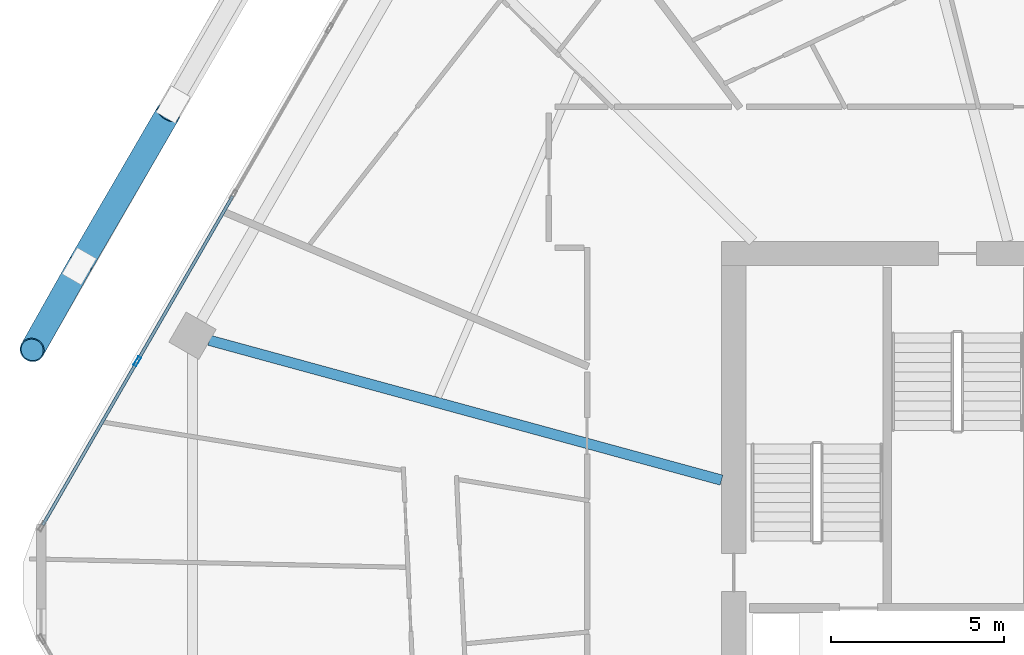
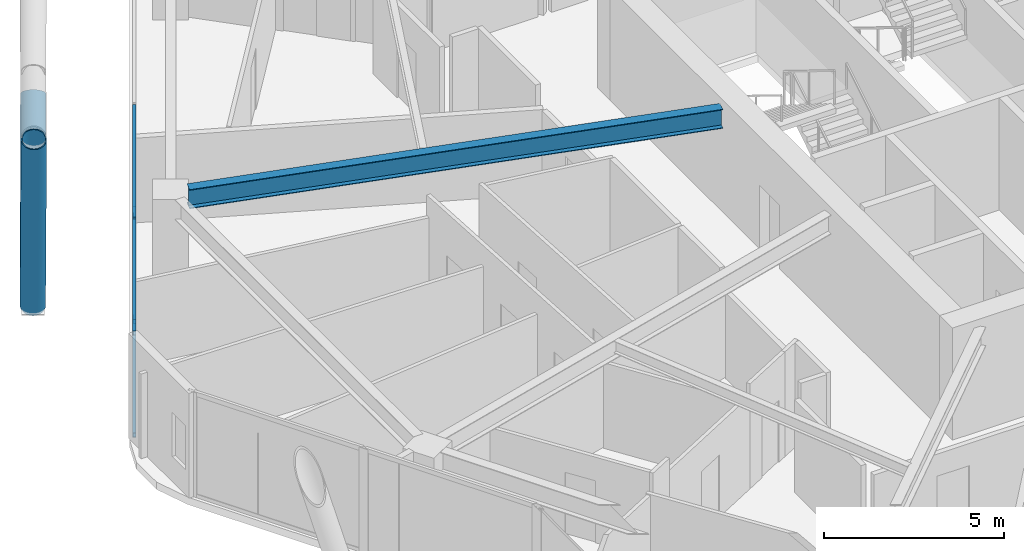
# One storey, part 11 of 29: 7 members, 1 beam, 1 element without a shape of its own.
"""IFC4 building model written with IfcOpenShell, lengths in metres."""

from ifc_helpers import new_model, si_unit, direction, frame, origin, origin_2d, place, context, subcontext, project, spatial, hollow_rectangle, hollow_circle, i_section, extrude, material, material_profile, profile_set, type_object, element, aggregate, save


model = new_model("IFC4")

# Units and contexts
model_context = context("Model", 3, precision=1e-05, world=origin(), true_north=direction((0.0, 1.0)))
body_context = subcontext(model_context, "Body", "Model", "MODEL_VIEW")
ifc_project = project(units=[si_unit("LENGTHUNIT", "METRE"), si_unit("AREAUNIT", "SQUARE_METRE"), si_unit("VOLUMEUNIT", "CUBIC_METRE"), si_unit("PLANEANGLEUNIT", "RADIAN"), si_unit("MASSUNIT", "GRAM", prefix="KILO")], contexts=[model_context])

# Site, building, storey
site_placement = place(None, origin())
site = spatial("IfcSite", under=ifc_project, at=site_placement, CompositionType="ELEMENT")
building_placement = place(site_placement, origin())
building = spatial("IfcBuilding", under=site, at=building_placement, Name="Zuhravey Tower", CompositionType="ELEMENT")
storey_placement = place(building_placement, frame((0.0, 0.0, 184.60009765625)))
storey = spatial("IfcBuildingStorey", under=building, at=storey_placement, Name="L46", CompositionType="ELEMENT", Elevation=184.60009765625)

# Curtain wall, members
ifc_material_1 = material(Name="Thermally broken anodised aluminium", Category="aluminium")
curtain_wall_type = type_object("IfcCurtainWallType", Name="Zone 1-2 Residential Curtain Wall CW3", PredefinedType="NOTDEFINED", material=ifc_material_1)
curtain_wall_placement = place(storey_placement, origin())
curtain_wall = element("IfcCurtainWall", 1, at=curtain_wall_placement, inside=storey, type_object=curtain_wall_type, Name="L46 CW3 CW-L46-F3-1", PredefinedType="NOTDEFINED")
ifc_material_2 = material(Name="Anodised aluminium", Category="aluminium")
ifc_material_profile_1 = material_profile(ifc_material_2, hollow_rectangle(XDim=0.090087890625, YDim=0.284912109375, WallThickness=0.0048828125, at=origin_2d()), Name="ALU-RHS-90x285x5")
ifc_profile_set_1 = profile_set([ifc_material_profile_1], Name="Anodised aluminium")
member_type_1 = type_object("IfcMemberType", Name="Curtain-Wall Mullion 90x180", PredefinedType="MULLION", material=ifc_profile_set_1)
member_1_placement = place(storey_placement, frame((8.300537109375, 38.38916015625, 0.0), z_axis=(0.0, 0.0, 1.0), x_axis=(-0.866025138215, 0.500000459979, 0.0)))
member_1 = element("IfcMember", 2, at=member_1_placement, type_object=member_type_1, Name="CW3 mullion 2", PredefinedType="MULLION", context=body_context, shape_type="SweptSolid", body=[
    extrude(hollow_rectangle(XDim=0.090087890625, YDim=0.284912109375, WallThickness=0.0048828125, at=origin_2d()), origin(), (0.0, 0.0, 1.0), 3.5498046875),
])
ifc_material_profile_2 = material_profile(ifc_material_2, hollow_rectangle(XDim=0.090087890625, YDim=0.14990234375, WallThickness=0.0048828125, at=origin_2d()), Name="ALU-RHS-90x150x5")
ifc_profile_set_2 = profile_set([ifc_material_profile_2], Name="Anodised aluminium")
member_type_2 = type_object("IfcMemberType", Name="Curtain-Wall Transom 90x150", PredefinedType="USERDEFINED", material=ifc_profile_set_2)
member_2_placement = place(storey_placement, frame((5.5732421875, 33.66552734375, 0.044921875), z_axis=(0.499993332629, 0.866029253159, 0.0), x_axis=(-0.866029253159, 0.499993332629, 0.0)))
member_2 = element("IfcMember", 3, at=member_2_placement, type_object=member_type_2, Name="CW3 transom 1.1", ObjectType="TRANSOM", PredefinedType="USERDEFINED", context=body_context, shape_type="SweptSolid", body=[
    extrude(hollow_rectangle(XDim=0.090087890625, YDim=0.14990234375, WallThickness=0.0048828125, at=origin_2d()), origin(), (0.0, 0.0, 1.0), 5.4091796875),
])
member_3_placement = place(storey_placement, frame((5.5732421875, 33.66552734375, 3.5048828125), z_axis=(0.499993332629, 0.866029253159, 0.0), x_axis=(-0.866029253159, 0.499993332629, 0.0)))
member_3 = element("IfcMember", 4, at=member_3_placement, type_object=member_type_2, Name="CW3 transom 1.2", ObjectType="TRANSOM", PredefinedType="USERDEFINED", context=body_context, shape_type="SweptSolid", body=[
    extrude(hollow_rectangle(XDim=0.090087890625, YDim=0.14990234375, WallThickness=0.0048828125, at=origin_2d()), origin(), (0.0, 0.0, 1.0), 5.4091796875),
])
member_4_placement = place(storey_placement, frame((8.322998046875, 38.427978515625, 0.044921875), z_axis=(0.49996138257, 0.86604769842, 0.0), x_axis=(-0.86604769842, 0.49996138257, 0.0)))
member_4 = element("IfcMember", 5, at=member_4_placement, type_object=member_type_2, Name="CW3 transom 2.1", ObjectType="TRANSOM", PredefinedType="USERDEFINED", context=body_context, shape_type="SweptSolid", body=[
    extrude(hollow_rectangle(XDim=0.090087890625, YDim=0.14990234375, WallThickness=0.0048828125, at=origin_2d()), origin(), (0.0, 0.0, 1.0), 5.45458984375),
])
member_5_placement = place(storey_placement, frame((8.322998046875, 38.427978515625, 3.5048828125), z_axis=(0.49996138257, 0.86604769842, 0.0), x_axis=(-0.86604769842, 0.49996138257, 0.0)))
member_5 = element("IfcMember", 6, at=member_5_placement, type_object=member_type_2, Name="CW3 transom 2.2", ObjectType="TRANSOM", PredefinedType="USERDEFINED", context=body_context, shape_type="SweptSolid", body=[
    extrude(hollow_rectangle(XDim=0.090087890625, YDim=0.14990234375, WallThickness=0.0048828125, at=origin_2d()), origin(), (0.0, 0.0, 1.0), 5.45458984375),
])
aggregate(curtain_wall, [member_1, member_2, member_3, member_4, member_5])

# Members
ifc_material_3 = material(Name="Steel SM460", Category="steel")
ifc_material_profile_3 = material_profile(ifc_material_3, hollow_circle(Radius=0.355712890625, WallThickness=0.031982421875, at=origin_2d()), Name="CHS-711.2x32")
ifc_profile_set_3 = profile_set([ifc_material_profile_3], Name="Steel SM460")
member_type_3 = type_object("IfcMemberType", Name="Exoskeleton Zone 2 Diagrid CHS711x32", PredefinedType="BRACE", material=ifc_profile_set_3)
member_6_placement = place(storey_placement, frame((6.62255859375, 41.122802734375, -0.444091796875), z_axis=(-0.168240392441, -0.29880415895, 0.939367470666), x_axis=(0.871372283393, -0.490622404436, 0.0)))
element("IfcMember", 7, at=member_6_placement, inside=storey, type_object=member_type_3, Name="L46 Face 3 Diagrid Brace 4", PredefinedType="BRACE", context=body_context, shape_type="SweptSolid", body=[
    extrude(hollow_circle(Radius=0.355712890625, WallThickness=0.031982421875, at=origin_2d()), origin(), (0.0, 0.0, 1.0), 8.048095703125),
])
member_7_placement = place(storey_placement, frame((6.6455078125, 41.16259765625, -0.436767578125), z_axis=(0.410721733314, 0.706831683015, 0.575931098022), x_axis=(-0.864627774747, 0.502412988622, 0.0)))
element("IfcMember", 8, at=member_7_placement, inside=storey, type_object=member_type_3, Name="L46 Face 3 Split Diagrid Brace 3A", PredefinedType="BRACE", context=body_context, shape_type="SweptSolid", body=[
    extrude(hollow_circle(Radius=0.355712890625, WallThickness=0.031982421875, at=origin_2d()), origin(), (0.0, 0.0, 1.0), 6.205078125),
])

# Beam
ifc_material_4 = material(Name="Steel SM355", Category="steel")
ifc_material_profile_4 = material_profile(ifc_material_4, i_section(OverallWidth=0.300048828125, OverallDepth=0.64990234375, WebThickness=0.012939453125, FlangeThickness=0.02197265625, at=origin_2d()), Name="H-650x300x13x22")
ifc_profile_set_4 = profile_set([ifc_material_profile_4], Name="Steel SM355")
beam_type = type_object("IfcBeamType", Name="Radial Primary Girder H650x300", PredefinedType="BEAM", material=ifc_profile_set_4)
beam_placement = place(storey_placement, frame((25.14697265625, 34.96240234375, 3.224853515625), z_axis=(-0.964701601771, 0.263345437667, 0.0), x_axis=(-0.263345437667, -0.964701601771, 0.0)))
element("IfcBeam", 9, at=beam_placement, inside=storey, type_object=beam_type, Name="L46 RG2 BM-L46-RAD-06", PredefinedType="BEAM", context=body_context, shape_type="SweptSolid", body=[
    extrude(i_section(OverallWidth=0.300048828125, OverallDepth=0.64990234375, WebThickness=0.012939453125, FlangeThickness=0.02197265625, at=origin_2d()), origin(), (0.0, 0.0, 1.0), 15.309814453125),
])

save(model, "model.ifc")
